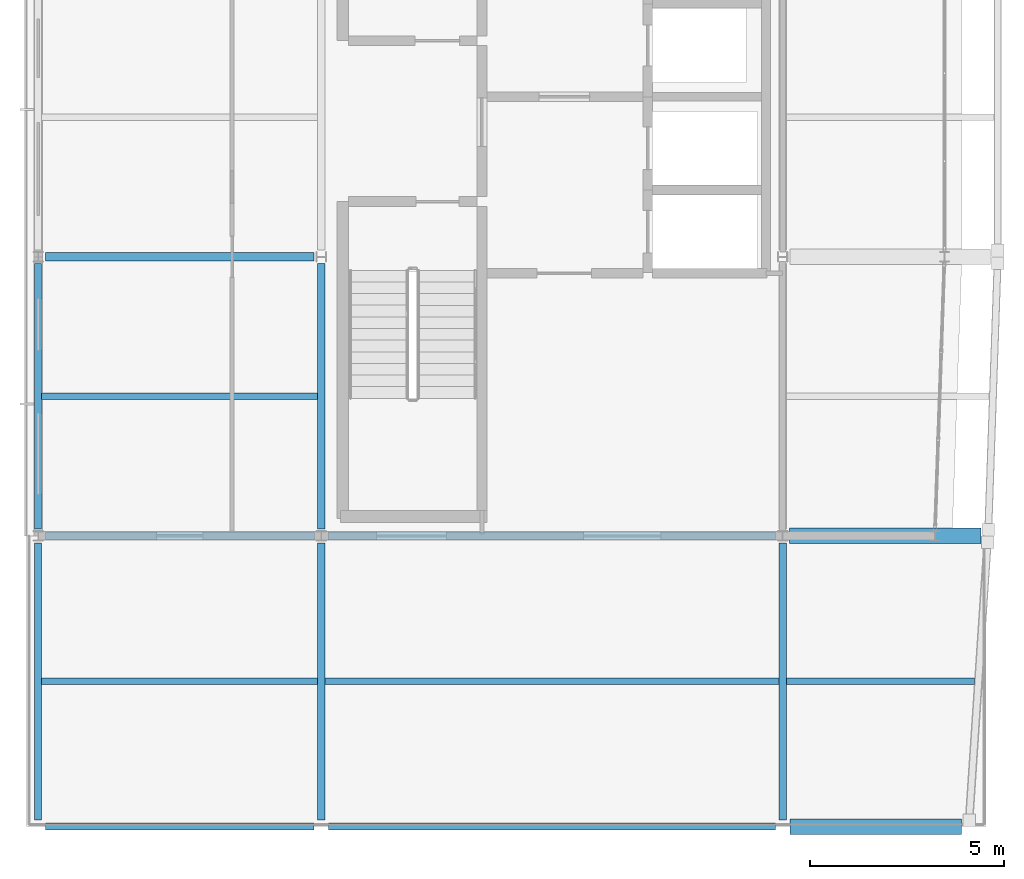
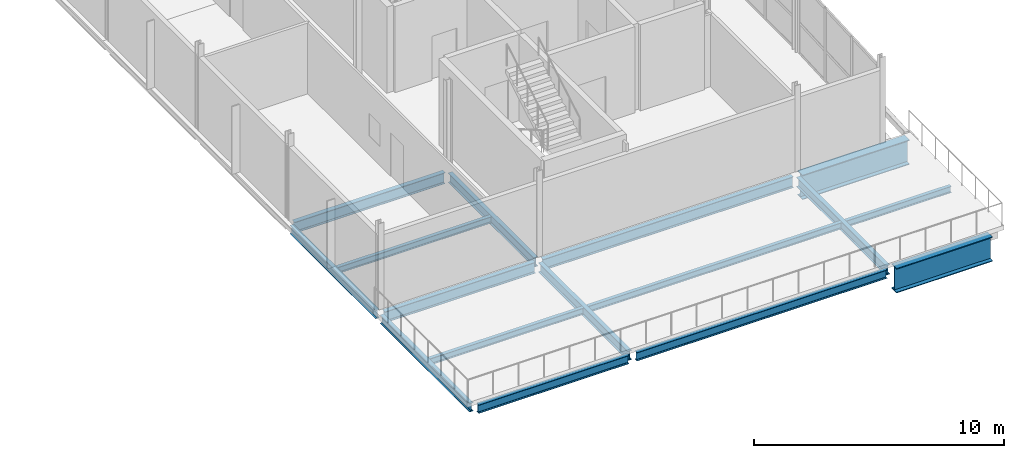
# One storey, part 3 of 17: 16 beams.
"""IFC4 building model written with IfcOpenShell, lengths in metres."""

from ifc_helpers import new_model, si_unit, direction, frame, origin, origin_2d, place, context, subcontext, project, spatial, i_section, extrude, material, material_profile, profile_set, type_object, element, save


model = new_model("IFC4")

# Units and contexts
model_context = context("Model", 3, precision=1e-05, world=origin(), true_north=direction((0.0, 1.0)))
body_context = subcontext(model_context, "Body", "Model", "MODEL_VIEW")
ifc_project = project(units=[si_unit("LENGTHUNIT", "METRE"), si_unit("AREAUNIT", "SQUARE_METRE"), si_unit("VOLUMEUNIT", "CUBIC_METRE"), si_unit("PLANEANGLEUNIT", "RADIAN"), si_unit("MASSUNIT", "GRAM", prefix="KILO")], contexts=[model_context])

# Site, building, storey
site_placement = place(None, origin())
site = spatial("IfcSite", under=ifc_project, at=site_placement, CompositionType="ELEMENT")
building_placement = place(site_placement, origin())
building = spatial("IfcBuilding", under=site, at=building_placement, Name="Quillay Park Conservatory", CompositionType="ELEMENT")
storey_placement = place(building_placement, frame((0.0, 0.0, 60.300048828125)))
storey = spatial("IfcBuildingStorey", under=building, at=storey_placement, Name="L14", CompositionType="ELEMENT", Elevation=60.300048828125)

# Beams
ifc_material_1 = material(Name="Steel ASTM A992 Grade 50", Category="steel")
ifc_material_profile_1 = material_profile(ifc_material_1, i_section(OverallWidth=0.166015625, OverallDepth=0.31298828125, WebThickness=0.006591796875, FlangeThickness=0.01123046875, FilletRadius=0.010009765625, at=origin_2d()), Name="W310x45")
ifc_profile_set_1 = profile_set([ifc_material_profile_1], Name="Steel ASTM A992 Grade 50")
beam_type_1 = type_object("IfcBeamType", Name="COMPOSITE FLOOR JOIST W310 X45", PredefinedType="JOIST", material=ifc_profile_set_1)
beam_1_placement = place(storey_placement, frame((0.639892578125, 74.25, -0.37158203125), z_axis=(1.0, 0.0, 0.0), x_axis=(0.0, 1.0, 0.0)))
element("IfcBeam", 1, at=beam_1_placement, inside=storey, type_object=beam_type_1, Name="L14 beam BM-J-0965", PredefinedType="JOIST", context=body_context, shape_type="SweptSolid", body=[
    extrude(i_section(OverallWidth=0.166015625, OverallDepth=0.31298828125, WebThickness=0.006591796875, FlangeThickness=0.01123046875, FilletRadius=0.010009765625, at=origin_2d()), origin(), (0.0, 0.0, 1.0), 7.114013671875),
])
beam_2_placement = place(storey_placement, frame((19.845947265625, 74.25, -0.37158203125), z_axis=(1.0, 0.0, 0.0), x_axis=(0.0, 1.0, 0.0)))
element("IfcBeam", 2, at=beam_2_placement, inside=storey, type_object=beam_type_1, Name="L14 beam BM-J-0966", PredefinedType="JOIST", context=body_context, shape_type="SweptSolid", body=[
    extrude(i_section(OverallWidth=0.166015625, OverallDepth=0.31298828125, WebThickness=0.006591796875, FlangeThickness=0.01123046875, FilletRadius=0.010009765625, at=origin_2d()), origin(), (0.0, 0.0, 1.0), 4.85400390625),
])
beam_3_placement = place(storey_placement, frame((7.946044921875, 74.25, -0.37158203125), z_axis=(1.0, 0.0, 0.0), x_axis=(0.0, 1.0, 0.0)))
element("IfcBeam", 3, at=beam_3_placement, inside=storey, type_object=beam_type_1, Name="L14 beam BM-J-0967", PredefinedType="JOIST", context=body_context, shape_type="SweptSolid", body=[
    extrude(i_section(OverallWidth=0.166015625, OverallDepth=0.31298828125, WebThickness=0.006591796875, FlangeThickness=0.01123046875, FilletRadius=0.010009765625, at=origin_2d()), origin(), (0.0, 0.0, 1.0), 11.7080078125),
])
beam_4_placement = place(storey_placement, frame((0.639892578125, 81.60009765625, -0.37158203125), z_axis=(1.0, 0.0, 0.0), x_axis=(0.0, 1.0, 0.0)))
element("IfcBeam", 4, at=beam_4_placement, inside=storey, type_object=beam_type_1, Name="L14 beam BM-J-0972", PredefinedType="JOIST", context=body_context, shape_type="SweptSolid", body=[
    extrude(i_section(OverallWidth=0.166015625, OverallDepth=0.31298828125, WebThickness=0.006591796875, FlangeThickness=0.01123046875, FilletRadius=0.010009765625, at=origin_2d()), origin(), (0.0, 0.0, 1.0), 7.114013671875),
])
ifc_material_2 = material(Name="Steel ASTM A992 Grade 50", Category="steel")
ifc_material_profile_2 = material_profile(ifc_material_2, i_section(OverallWidth=0.179931640625, OverallDepth=0.4130859375, WebThickness=0.009765625, FlangeThickness=0.01611328125, FilletRadius=0.011962890625, at=origin_2d()), Name="W410x74")
ifc_profile_set_2 = profile_set([ifc_material_profile_2], Name="Steel ASTM A992 Grade 50")
beam_type_2 = type_object("IfcBeamType", Name="PERIMETER SPANDREL BEAM W410 X74", PredefinedType="SPANDREL", material=ifc_profile_set_2)
beam_5_placement = place(storey_placement, frame((0.734619140625, 70.5, -0.421630859375), z_axis=(1.0, 0.0, 0.0), x_axis=(0.0, 1.0, 0.0)))
element("IfcBeam", 5, at=beam_5_placement, inside=storey, type_object=beam_type_2, Name="L14 beam BM-SP-0942", PredefinedType="SPANDREL", context=body_context, shape_type="SweptSolid", body=[
    extrude(i_section(OverallWidth=0.179931640625, OverallDepth=0.4130859375, WebThickness=0.009765625, FlangeThickness=0.01611328125, FilletRadius=0.011962890625, at=origin_2d()), origin(), (0.0, 0.0, 1.0), 6.930908203125),
])
beam_6_placement = place(storey_placement, frame((8.034423828125, 70.5, -0.421630859375), z_axis=(1.0, 0.0, 0.0), x_axis=(0.0, 1.0, 0.0)))
element("IfcBeam", 6, at=beam_6_placement, inside=storey, type_object=beam_type_2, Name="L14 beam BM-SP-0943", PredefinedType="SPANDREL", context=body_context, shape_type="SweptSolid", body=[
    extrude(i_section(OverallWidth=0.179931640625, OverallDepth=0.4130859375, WebThickness=0.009765625, FlangeThickness=0.01611328125, FilletRadius=0.011962890625, at=origin_2d()), origin(), (0.0, 0.0, 1.0), 11.531005859375),
])
beam_7_placement = place(storey_placement, frame((0.550048828125, 70.677978515625, -0.421630859375), z_axis=(0.0, 1.0, 0.0), x_axis=(-1.0, 0.0, 0.0)))
element("IfcBeam", 7, at=beam_7_placement, inside=storey, type_object=beam_type_2, Name="L14 beam BM-SPW-0961", PredefinedType="SPANDREL", context=body_context, shape_type="SweptSolid", body=[
    extrude(i_section(OverallWidth=0.179931640625, OverallDepth=0.4130859375, WebThickness=0.009765625, FlangeThickness=0.01611328125, FilletRadius=0.011962890625, at=origin_2d()), origin(), (0.0, 0.0, 1.0), 7.14404296875),
])
beam_8_placement = place(storey_placement, frame((0.550048828125, 78.177978515625, -0.421630859375), z_axis=(0.0, 1.0, 0.0), x_axis=(-1.0, 0.0, 0.0)))
element("IfcBeam", 8, at=beam_8_placement, inside=storey, type_object=beam_type_2, Name="L14 beam BM-SPW-0968", PredefinedType="SPANDREL", context=body_context, shape_type="SweptSolid", body=[
    extrude(i_section(OverallWidth=0.179931640625, OverallDepth=0.4130859375, WebThickness=0.009765625, FlangeThickness=0.01611328125, FilletRadius=0.011962890625, at=origin_2d()), origin(), (0.0, 0.0, 1.0), 6.843994140625),
])
ifc_material_3 = material(Name="Steel ASTM A992 Grade 50", Category="steel")
ifc_material_profile_3 = material_profile(ifc_material_3, i_section(OverallWidth=0.19189453125, OverallDepth=0.462890625, WebThickness=0.010498046875, FlangeThickness=0.017578125, FilletRadius=0.012939453125, at=origin_2d()), Name="W460x89")
ifc_profile_set_3 = profile_set([ifc_material_profile_3], Name="Steel ASTM A992 Grade 50")
beam_type_3 = type_object("IfcBeamType", Name="PRIMARY FLOOR GIRDER W460 X89", PredefinedType="BEAM", material=ifc_profile_set_3)
for number, where, z_axis, x_axis, name in (
    (9, (7.85009765625, 70.677978515625, -0.446533203125), (0.0, 1.0, 0.0), (-1.0, 0.0, 0.0), "L14 beam BM-GNS-0963"),
    (10, (19.75, 70.677978515625, -0.446533203125), (0.0, 1.0, 0.0), (-1.0, 0.0, 0.0), "L14 beam BM-GNS-0964"),
):
    element("IfcBeam", number, at=place(storey_placement, frame(where, z_axis=z_axis, x_axis=x_axis)), inside=storey, type_object=beam_type_3, Name=name, PredefinedType="BEAM", context=body_context, shape_type="SweptSolid", body=[
        extrude(i_section(OverallWidth=0.19189453125, OverallDepth=0.462890625, WebThickness=0.010498046875, FlangeThickness=0.017578125, FilletRadius=0.012939453125, at=origin_2d()), origin(), (0.0, 0.0, 1.0), 7.137451171875),
    ])
beam_9_placement = place(storey_placement, frame((7.85009765625, 78.1845703125, -0.446533203125), z_axis=(0.0, 1.0, 0.0), x_axis=(-1.0, 0.0, 0.0)))
element("IfcBeam", 11, at=beam_9_placement, inside=storey, type_object=beam_type_3, Name="L14 beam BM-GNS-0970", PredefinedType="BEAM", context=body_context, shape_type="SweptSolid", body=[
    extrude(i_section(OverallWidth=0.19189453125, OverallDepth=0.462890625, WebThickness=0.010498046875, FlangeThickness=0.017578125, FilletRadius=0.012939453125, at=origin_2d()), origin(), (0.0, 0.0, 1.0), 6.83740234375),
])
ifc_material_4 = material(Name="Steel ASTM A992 Grade 50", Category="steel")
ifc_material_profile_4 = material_profile(ifc_material_4, i_section(OverallWidth=0.2109375, OverallDepth=0.5390625, WebThickness=0.01171875, FlangeThickness=0.018798828125, FilletRadius=0.013916015625, at=origin_2d()), Name="W530x109")
ifc_profile_set_4 = profile_set([ifc_material_profile_4], Name="Steel ASTM A992 Grade 50")
beam_type_4 = type_object("IfcBeamType", Name="PRIMARY FLOOR GIRDER W530 X109", PredefinedType="BEAM", material=ifc_profile_set_4)
beam_10_placement = place(storey_placement, frame((0.734619140625, 78.0, -0.484619140625), z_axis=(1.0, 0.0, 0.0), x_axis=(0.0, 1.0, 0.0)))
element("IfcBeam", 12, at=beam_10_placement, inside=storey, type_object=beam_type_4, Name="L14 beam BM-G-0945", PredefinedType="BEAM", context=body_context, shape_type="SweptSolid", body=[
    extrude(i_section(OverallWidth=0.2109375, OverallDepth=0.5390625, WebThickness=0.01171875, FlangeThickness=0.018798828125, FilletRadius=0.013916015625, at=origin_2d()), origin(), (0.0, 0.0, 1.0), 6.9375),
])
beam_11_placement = place(storey_placement, frame((8.028076171875, 78.0, -0.484619140625), z_axis=(1.0, 0.0, 0.0), x_axis=(0.0, 1.0, 0.0)))
element("IfcBeam", 13, at=beam_11_placement, inside=storey, type_object=beam_type_4, Name="L14 beam BM-G-0946", PredefinedType="BEAM", context=body_context, shape_type="SweptSolid", body=[
    extrude(i_section(OverallWidth=0.2109375, OverallDepth=0.5390625, WebThickness=0.01171875, FlangeThickness=0.018798828125, FilletRadius=0.013916015625, at=origin_2d()), origin(), (0.0, 0.0, 1.0), 11.5439453125),
])
beam_12_placement = place(storey_placement, frame((0.734619140625, 85.199951171875, -0.484619140625), z_axis=(1.0, 0.0, 0.0), x_axis=(0.0, 1.0, 0.0)))
element("IfcBeam", 14, at=beam_12_placement, inside=storey, type_object=beam_type_4, Name="L14 beam BM-G-0948", PredefinedType="BEAM", context=body_context, shape_type="SweptSolid", body=[
    extrude(i_section(OverallWidth=0.2109375, OverallDepth=0.5390625, WebThickness=0.01171875, FlangeThickness=0.018798828125, FilletRadius=0.013916015625, at=origin_2d()), origin(), (0.0, 0.0, 1.0), 6.930908203125),
])
ifc_material_5 = material(Name="Steel ASTM A572 Grade 50", Category="steel")
ifc_material_profile_5 = material_profile(ifc_material_5, i_section(OverallWidth=0.39990234375, OverallDepth=1.199951171875, WebThickness=0.02001953125, FlangeThickness=0.0380859375, at=origin_2d()), Name="IG1200x400")
ifc_profile_set_5 = profile_set([ifc_material_profile_5], Name="Steel ASTM A572 Grade 50")
beam_type_5 = type_object("IfcBeamType", Name="TRANSFER PLATE GIRDER IG1200", PredefinedType="USERDEFINED", material=ifc_profile_set_5)
beam_13_placement = place(storey_placement, frame((19.9345703125, 70.5, -0.81494140625), z_axis=(1.0, 0.0, 0.0), x_axis=(0.0, 1.0, 0.0)))
element("IfcBeam", 15, at=beam_13_placement, inside=storey, type_object=beam_type_5, Name="L14 beam BM-TG2-0944", ObjectType="TRANSFER PLATE GIRDER", PredefinedType="USERDEFINED", context=body_context, shape_type="SweptSolid", body=[
    extrude(i_section(OverallWidth=0.39990234375, OverallDepth=1.199951171875, WebThickness=0.02001953125, FlangeThickness=0.0380859375, at=origin_2d()), origin(), (0.0, 0.0, 1.0), 4.430908203125),
])
beam_14_placement = place(storey_placement, frame((19.927978515625, 78.0, -0.81494140625), z_axis=(1.0, 0.0, 0.0), x_axis=(0.0, 1.0, 0.0)))
element("IfcBeam", 16, at=beam_14_placement, inside=storey, type_object=beam_type_5, Name="L14 beam BM-TG2-0947", ObjectType="TRANSFER PLATE GIRDER", PredefinedType="USERDEFINED", context=body_context, shape_type="SweptSolid", body=[
    extrude(i_section(OverallWidth=0.39990234375, OverallDepth=1.199951171875, WebThickness=0.02001953125, FlangeThickness=0.0380859375, at=origin_2d()), origin(), (0.0, 0.0, 1.0), 4.9375),
])

save(model, "model.ifc")
